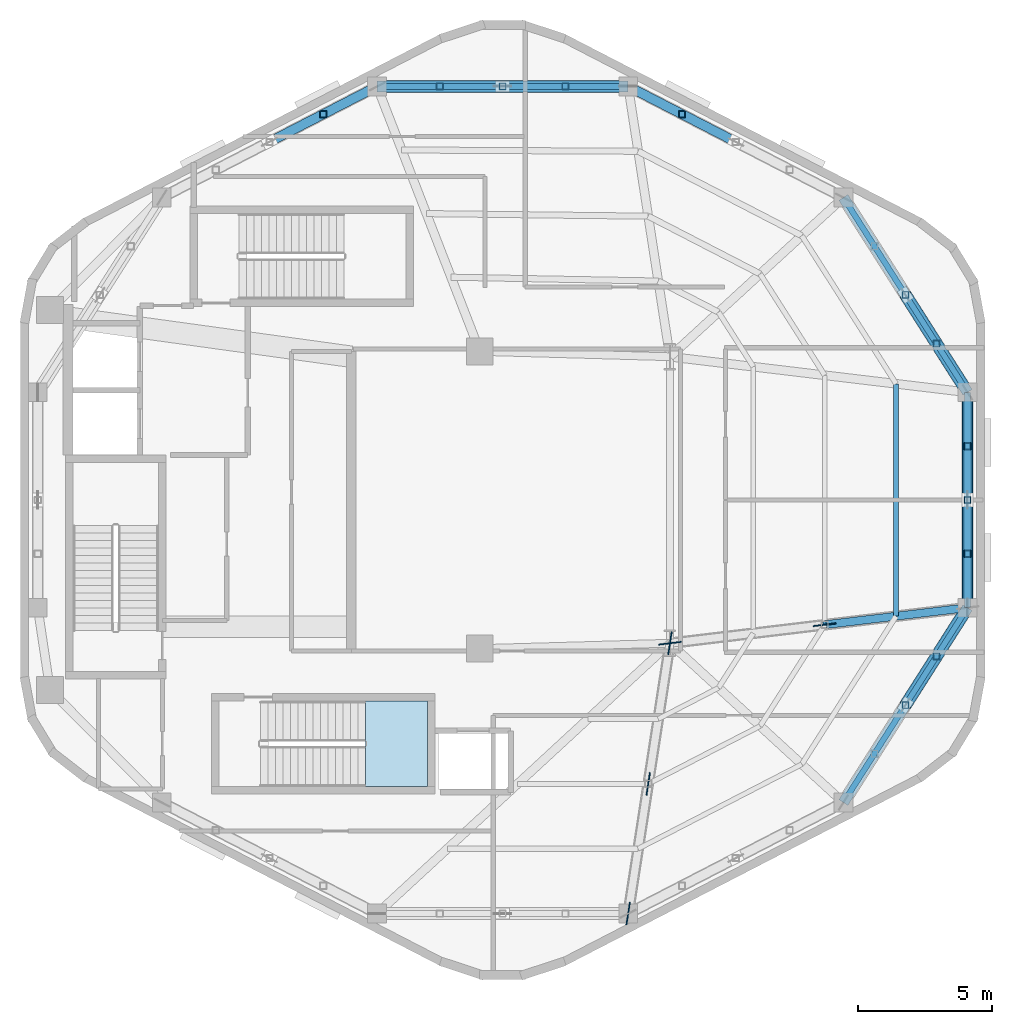
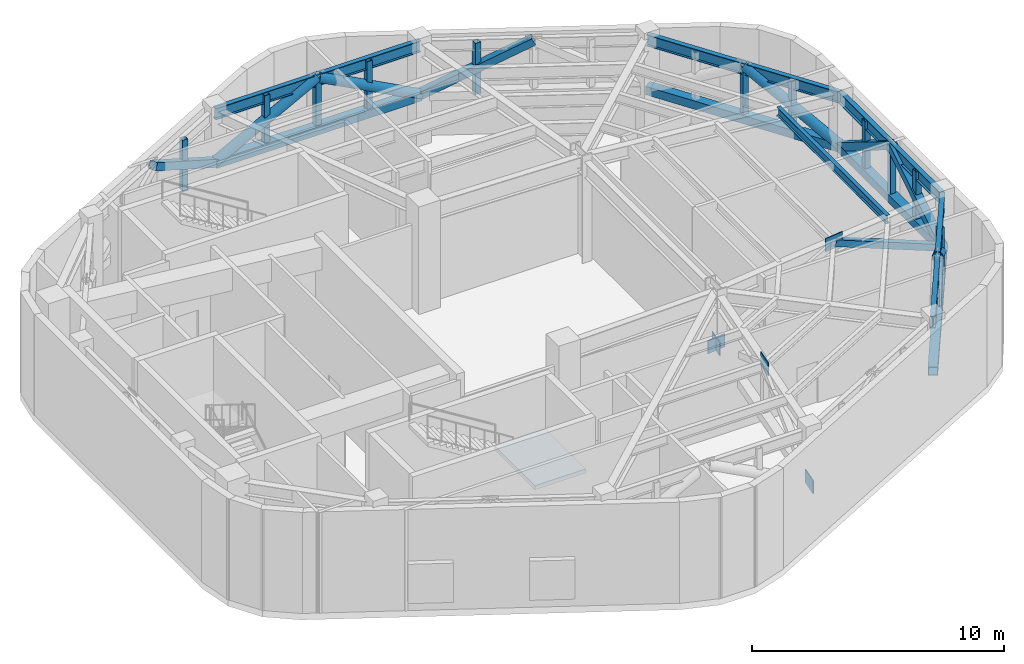
# One storey, part 4 of 8: 25 members, 5 beams, 5 plates, 1 slab, 1 element without a shape of its own.
"""IFC4 building model written with IfcOpenShell, lengths in metres."""

import ifcopenshell
import ifcopenshell.guid

model = None  # the IFC model being written
_history = None  # IfcOwnerHistory: only IFC2X3 demands one
_inside = {}  # id of a spatial element -> (the spatial element, [elements in it])
_under = {}  # id of a project, library or spatial element -> (it, [spatial elements below it])
_declared = {}  # id of a project -> (the project, [libraries it declares])
_typed = {}  # id of a type object -> (the type object, [elements of that type])
_made_of = {}  # id of a material, layer set ... -> (it, [elements and type objects made of it])


def new_model(schema):
    """Start an empty IFC model of exactly this schema.

    Asked for "IFC4X3", IfcOpenShell would pick the latest addendum, in which some entities
    have other attributes; the version numbers below select the first issue.
    IFC2X3 requires an IfcOwnerHistory on every rooted entity: one is made here for all.
    """
    global model, _history
    if schema == "IFC4X3":
        model = ifcopenshell.file(schema_version=(4, 3, 0, 0))
    else:
        model = ifcopenshell.file(schema=schema)
    _inside.clear()
    _under.clear()
    _declared.clear()
    _typed.clear()
    _made_of.clear()
    _history = None
    if model.schema == "IFC2X3":
        org = make("IfcOrganization", Name="unknown")
        user = make(
            "IfcPersonAndOrganization",
            ThePerson=make("IfcPerson", FamilyName="unknown"),
            TheOrganization=org,
        )
        app = make(
            "IfcApplication",
            ApplicationDeveloper=org,
            Version="unknown",
            ApplicationFullName="unknown",
            ApplicationIdentifier="unknown",
        )
        _history = make(
            "IfcOwnerHistory",
            OwningUser=user,
            OwningApplication=app,
            ChangeAction="ADDED",
            CreationDate=0,
        )
    return model


def make(cls, **values):
    """One entity of the class cls with the attributes given. An attribute that is None is left unset."""
    return model.create_entity(
        cls, **{name: value for name, value in values.items() if value is not None}
    )


def rooted(cls, **values):
    """An entity with a GlobalId (a new one), such as an element, a storey or a relation."""
    return make(cls, GlobalId=ifcopenshell.guid.new(), OwnerHistory=_history, **values)


def si_unit(unit_type, name, prefix=None):
    """IfcSIUnit, for example si_unit("LENGTHUNIT", "METRE", prefix="MILLI")."""
    return make("IfcSIUnit", UnitType=unit_type, Prefix=prefix, Name=name)


def assignment(units):
    """IfcUnitAssignment: the units of a project."""
    return None if units is None else make("IfcUnitAssignment", Units=units)


def point(xyz):
    """IfcCartesianPoint."""
    return None if xyz is None else make("IfcCartesianPoint", Coordinates=xyz)


def direction(xyz):
    """IfcDirection."""
    return None if xyz is None else make("IfcDirection", DirectionRatios=xyz)


def frame(location, z_axis=None, x_axis=None):
    """IfcAxis2Placement3D, a coordinate frame: its origin and axes. An axis left out is left unset."""
    return make(
        "IfcAxis2Placement3D",
        Location=point(location),
        Axis=direction(z_axis),
        RefDirection=direction(x_axis),
    )


def frame_2d(location, x_axis=None):
    """IfcAxis2Placement2D, a coordinate frame in the plane: its origin and x axis."""
    return make(
        "IfcAxis2Placement2D", Location=point(location), RefDirection=direction(x_axis)
    )


def origin():
    """The frame at (0, 0, 0) with its axes left unset."""
    return frame((0.0, 0.0, 0.0))


def origin_2d():
    """The frame at (0, 0) in the plane with its x axis left unset."""
    return frame_2d((0.0, 0.0))


def place(relative_to, where):
    """IfcLocalPlacement: puts the frame where relative to a parent placement (None: the world)."""
    return make(
        "IfcLocalPlacement", PlacementRelTo=relative_to, RelativePlacement=where
    )


def context(
    kind, dimensions, precision=None, world=None, true_north=None, identifier=None
):
    """IfcGeometricRepresentationContext, for example the 3D "Model" context."""
    return make(
        "IfcGeometricRepresentationContext",
        ContextIdentifier=identifier,
        ContextType=kind,
        CoordinateSpaceDimension=dimensions,
        Precision=precision,
        WorldCoordinateSystem=world,
        TrueNorth=true_north,
    )


def subcontext(parent, identifier, kind, view, scale=None):
    """IfcGeometricRepresentationSubContext, for example "Body" below "Model"."""
    return make(
        "IfcGeometricRepresentationSubContext",
        ContextIdentifier=identifier,
        ContextType=kind,
        ParentContext=parent,
        TargetScale=scale,
        TargetView=view,
    )


def project(units=None, contexts=None):
    """IfcProject with its units and contexts."""
    return rooted(
        "IfcProject",
        Name="project",
        RepresentationContexts=contexts,
        UnitsInContext=assignment(units),
    )


def spatial(cls, under=None, at=None, **own):
    """A site, building, storey or space (cls), placed at a placement, below another one or the project."""
    s = rooted(cls, ObjectPlacement=at, **own)
    if under is not None:
        _under.setdefault(under.id(), (under, []))[1].append(s)
    return s


def polyline(points):
    """IfcPolyline through the points."""
    return make("IfcPolyline", Points=[point(p) for p in points])


def profile(cls, at=None, kind="AREA", **sizes):
    """A parametric profile (cls). Its sizes go by their IFC names, for example OverallWidth=200.0."""
    return make(cls, ProfileType=kind, Position=at, **sizes)


def rectangle(**sizes):
    """IfcRectangleProfileDef."""
    return profile("IfcRectangleProfileDef", **sizes)


def hollow_rectangle(**sizes):
    """IfcRectangleHollowProfileDef."""
    return profile("IfcRectangleHollowProfileDef", **sizes)


def hollow_circle(**sizes):
    """IfcCircleHollowProfileDef."""
    return profile("IfcCircleHollowProfileDef", **sizes)


def i_section(**sizes):
    """IfcIShapeProfileDef."""
    return profile("IfcIShapeProfileDef", **sizes)


def outline(outer, holes=None, kind="AREA"):
    """IfcArbitraryClosedProfileDef: a profile drawn as a closed curve; with holes, ...WithVoids."""
    if holes is None:
        return make("IfcArbitraryClosedProfileDef", ProfileType=kind, OuterCurve=outer)
    return make(
        "IfcArbitraryProfileDefWithVoids",
        ProfileType=kind,
        OuterCurve=outer,
        InnerCurves=holes,
    )


def extrude(swept, where, along, depth):
    """IfcExtrudedAreaSolid: the profile swept, set in the frame where, extruded along a direction by depth."""
    return make(
        "IfcExtrudedAreaSolid",
        SweptArea=swept,
        Position=where,
        ExtrudedDirection=direction(along),
        Depth=depth,
    )


def shape(context_of_items, identifier, shape_type, items):
    """IfcShapeRepresentation: the items that make up one representation, for example the "Body"."""
    return make(
        "IfcShapeRepresentation",
        ContextOfItems=context_of_items,
        RepresentationIdentifier=identifier,
        RepresentationType=shape_type,
        Items=items,
    )


def material(Name=None, Category=None):
    """IfcMaterial."""
    return make("IfcMaterial", Name=Name, Category=Category)


def layer(
    of_material, thickness, ventilated=None, Name=None, Category=None, Priority=None
):
    """IfcMaterialLayer: one layer of a wall or slab, of a material (None: an air gap)."""
    return make(
        "IfcMaterialLayer",
        Material=of_material,
        LayerThickness=thickness,
        IsVentilated=ventilated,
        Name=Name,
        Category=Category,
        Priority=Priority,
    )


def layer_set(layers, Name=None):
    """IfcMaterialLayerSet."""
    return make("IfcMaterialLayerSet", MaterialLayers=layers, LayerSetName=Name)


def material_profile(
    of_material, cross_section, Name=None, Category=None, Priority=None
):
    """IfcMaterialProfile: a cross section and its material."""
    return make(
        "IfcMaterialProfile",
        Name=Name,
        Material=of_material,
        Profile=cross_section,
        Priority=Priority,
        Category=Category,
    )


def profile_set(profiles, Name=None, composite=None):
    """IfcMaterialProfileSet."""
    return make(
        "IfcMaterialProfileSet",
        Name=Name,
        MaterialProfiles=profiles,
        CompositeProfile=composite,
    )


def made_of(thing, what):
    """Note that an element or type object is made of a material, layer set ...; save() writes the relation."""
    if what is not None:
        _made_of.setdefault(what.id(), (what, []))[1].append(thing)
    return thing


def type_object(cls, material=None, **own):
    """A type object (cls), such as IfcWallType, which elements share."""
    return made_of(rooted(cls, **own), material)


def element(
    cls,
    number,
    at=None,
    inside=None,
    cuts=None,
    type_object=None,
    material=None,
    context=None,
    identifier="Body",
    shape_type=None,
    held_by="IfcProductDefinitionShape",
    body=None,
    shapes=None,
    **own,
):
    """One element of the class cls, such as IfcWall. Its Tag is "e" and its number.

    at: its placement. inside: the storey or other place that contains it. cuts: it is an
    opening in that element (IfcRelVoidsElement). A single representation is given by context,
    identifier, shape_type and body (its items); several are given by shapes. held_by: the class
    of the entity that holds the representations. save() writes the other relations.
    """
    e = rooted(cls, Tag="e%d" % number, ObjectPlacement=at, **own)
    if body is not None:
        shapes = [shape(context, identifier, shape_type, body)]
    if shapes is not None:
        e.Representation = make(held_by, Representations=shapes)
    if inside is not None:
        _inside.setdefault(inside.id(), (inside, []))[1].append(e)
    if cuts is not None:
        rooted(
            "IfcRelVoidsElement", RelatingBuildingElement=cuts, RelatedOpeningElement=e
        )
    if type_object is not None:
        _typed.setdefault(type_object.id(), (type_object, []))[1].append(e)
    return made_of(e, material)


def aggregate(whole, parts):
    """IfcRelAggregates: a whole, such as a stair, and the parts it consists of."""
    return rooted("IfcRelAggregates", RelatingObject=whole, RelatedObjects=parts)


def save(model, path):
    """Write the relations noted so far, then the file.

    IfcRelAggregates (storeys below a building ...), IfcRelContainedInSpatialStructure (elements
    in a storey), IfcRelDefinesByType, IfcRelAssociatesMaterial and IfcRelDeclares: one each for
    every whole, place, type object, material and project.
    """
    for whole, parts in _under.values():
        aggregate(whole, parts)
    for where, things in _inside.values():
        rooted(
            "IfcRelContainedInSpatialStructure",
            RelatedElements=things,
            RelatingStructure=where,
        )
    for kind, things in _typed.values():
        rooted("IfcRelDefinesByType", RelatedObjects=things, RelatingType=kind)
    for what, things in _made_of.values():
        rooted("IfcRelAssociatesMaterial", RelatedObjects=things, RelatingMaterial=what)
    for by, libraries in _declared.values():
        rooted("IfcRelDeclares", RelatingContext=by, RelatedDefinitions=libraries)
    model.write(path)


model = new_model("IFC4")

# Units and contexts
model_context = context("Model", 3, precision=1e-05, world=origin(), true_north=direction((0.0, 1.0)))
body_context = subcontext(model_context, "Body", "Model", "MODEL_VIEW")
ifc_project = project(units=[si_unit("LENGTHUNIT", "METRE"), si_unit("AREAUNIT", "SQUARE_METRE"), si_unit("VOLUMEUNIT", "CUBIC_METRE"), si_unit("PLANEANGLEUNIT", "RADIAN"), si_unit("MASSUNIT", "GRAM", prefix="KILO"), si_unit("THERMODYNAMICTEMPERATUREUNIT", "KELVIN"), si_unit("POWERUNIT", "WATT")], contexts=[model_context])

# Site, building, storey
site_placement = place(None, origin())
site = spatial("IfcSite", under=ifc_project, at=site_placement, CompositionType="ELEMENT")
building_placement = place(site_placement, origin())
building = spatial("IfcBuilding", under=site, at=building_placement, Name="Skarre Station Tower", CompositionType="ELEMENT")
storey_placement = place(building_placement, frame((0.0, 0.0, 279.89990234375)))
storey = spatial("IfcBuildingStorey", under=building, at=storey_placement, Name="L76", CompositionType="ELEMENT", Elevation=279.89990234375)

# Beams
ifc_material_1 = material(Name="Steel ASTM A992 Grade 50", Category="steel")
ifc_material_profile_1 = material_profile(ifc_material_1, i_section(OverallWidth=0.177978515625, OverallDepth=0.403076171875, WebThickness=0.008056640625, FlangeThickness=0.010986328125, at=origin_2d()), Name="Steel ASTM A992 Grade 50")
ifc_profile_set_1 = profile_set([ifc_material_profile_1], Name="Steel ASTM A992 Grade 50")
beam_type_1 = type_object("IfcBeamType", Name="Steel Joist W16X36", PredefinedType="JOIST", material=ifc_profile_set_1)
beam_1_placement = place(storey_placement, frame((47.89599609375, 19.659912109375, 4.689208984375), z_axis=(0.0, 1.0, 0.0), x_axis=(-1.0, 0.0, 0.0)))
element("IfcBeam", 1, at=beam_1_placement, inside=storey, type_object=beam_type_1, Name="L76 Auxiliary Composite Joist 23", PredefinedType="JOIST", context=body_context, shape_type="SweptSolid", body=[
    extrude(i_section(OverallWidth=0.177978515625, OverallDepth=0.403076171875, WebThickness=0.008056640625, FlangeThickness=0.010986328125, at=origin_2d()), origin(), (0.0, 0.0, 1.0), 8.68017578125),
])
ifc_material_profile_2 = material_profile(ifc_material_1, i_section(OverallWidth=0.214111328125, OverallDepth=0.549072265625, WebThickness=0.014892578125, FlangeThickness=0.02392578125, at=origin_2d()), Name="Steel ASTM A992 Grade 50")
ifc_profile_set_2 = profile_set([ifc_material_profile_2], Name="Steel ASTM A992 Grade 50")
beam_type_2 = type_object("IfcBeamType", Name="Steel Spandrel W21X93", PredefinedType="SPANDREL", material=ifc_profile_set_2)
beam_2_placement = place(storey_placement, frame((37.888916015625, 39.447021484375, 4.6162109375), z_axis=(-1.0, 0.0, 0.0), x_axis=(0.0, -1.0, 0.0)))
element("IfcBeam", 2, at=beam_2_placement, inside=storey, type_object=beam_type_2, Name="L76 Facet Spandrel Beam 2", PredefinedType="SPANDREL", context=body_context, shape_type="SweptSolid", body=[
    extrude(i_section(OverallWidth=0.214111328125, OverallDepth=0.549072265625, WebThickness=0.014892578125, FlangeThickness=0.02392578125, at=origin_2d()), origin(), (0.0, 0.0, 1.0), 9.3779296875),
])
beam_3_placement = place(storey_placement, frame((45.927001953125, 12.701904296875, 4.6162109375), z_axis=(0.537296523663, 0.843393410965, 0.0), x_axis=(-0.843393410965, 0.537296523663, 0.0)))
element("IfcBeam", 3, at=beam_3_placement, inside=storey, type_object=beam_type_2, Name="L76 Facet Spandrel Beam 10", PredefinedType="SPANDREL", context=body_context, shape_type="SweptSolid", body=[
    extrude(i_section(OverallWidth=0.214111328125, OverallDepth=0.549072265625, WebThickness=0.014892578125, FlangeThickness=0.02392578125, at=origin_2d()), origin(), (0.0, 0.0, 1.0), 8.62841796875),
])
beam_4_placement = place(storey_placement, frame((50.56298828125, 19.97900390625, 4.6162109375), z_axis=(0.0, 1.0, 0.0), x_axis=(-1.0, 0.0, 0.0)))
element("IfcBeam", 4, at=beam_4_placement, inside=storey, type_object=beam_type_2, Name="L76 Facet Spandrel Beam 11", PredefinedType="SPANDREL", context=body_context, shape_type="SweptSolid", body=[
    extrude(i_section(OverallWidth=0.214111328125, OverallDepth=0.549072265625, WebThickness=0.014892578125, FlangeThickness=0.02392578125, at=origin_2d()), origin(), (0.0, 0.0, 1.0), 8.0419921875),
])
beam_5_placement = place(storey_placement, frame((50.56298828125, 28.02099609375, 4.6162109375), z_axis=(-0.537296523663, 0.843393410965, 0.0), x_axis=(-0.843393410965, -0.537296523663, 0.0)))
element("IfcBeam", 5, at=beam_5_placement, inside=storey, type_object=beam_type_2, Name="L76 Facet Spandrel Beam 12", PredefinedType="SPANDREL", context=body_context, shape_type="SweptSolid", body=[
    extrude(i_section(OverallWidth=0.214111328125, OverallDepth=0.549072265625, WebThickness=0.014892578125, FlangeThickness=0.02392578125, at=origin_2d()), origin(), (0.0, 0.0, 1.0), 8.62841796875),
])

# Members
ifc_material_2 = material(Name="Steel ASTM A500 Grade C", Category="steel")
ifc_material_profile_3 = material_profile(ifc_material_2, hollow_circle(Radius=0.228515625, WallThickness=0.02001953125, at=origin_2d()), Name="Steel ASTM A500 Grade C")
ifc_profile_set_3 = profile_set([ifc_material_profile_3], Name="Steel ASTM A500 Grade C")
member_type_1 = type_object("IfcMemberType", Name="Steel Truss Brace CHS457X20", PredefinedType="BRACE", material=ifc_profile_set_3)
for number, where, z_axis, x_axis, name in (
    (6, (37.888916015625, 39.447021484375, 2.25), (-0.883195489421, 0.0, 0.469005039915), (0.0, -1.0, 0.0), "L76 Belt Truss Chevron Diagonal 2A"),
    (7, (28.510986328125, 39.447021484375, 2.25), (0.883195489421, 0.0, 0.469005039915), (0.0, 1.0, 0.0), "L76 Belt Truss Chevron Diagonal 2B"),
):
    element("IfcMember", number, at=place(storey_placement, frame(where, z_axis=z_axis, x_axis=x_axis)), inside=storey, type_object=member_type_1, Name=name, PredefinedType="BRACE", context=body_context, shape_type="SweptSolid", body=[
        extrude(hollow_circle(Radius=0.228515625, WallThickness=0.02001953125, at=origin_2d()), origin(), (0.0, 0.0, 1.0), 5.30908203125),
    ])
for number, where, z_axis, x_axis, name in (
    (8, (50.56298828125, 19.97900390625, 2.25), (-0.465305701623, -0.730501525457, 0.499858105209), (0.843430734207, -0.537237932946, 0.0), "L76 Belt Truss Chevron Diagonal 10B"),
    (9, (50.56298828125, 28.02099609375, 2.25), (-0.465305701623, 0.730501525457, 0.499858105209), (-0.843430734207, -0.537237932946, 0.0), "L76 Belt Truss Chevron Diagonal 12A"),
):
    element("IfcMember", number, at=place(storey_placement, frame(where, z_axis=z_axis, x_axis=x_axis)), inside=storey, type_object=member_type_1, Name=name, PredefinedType="BRACE", context=body_context, shape_type="SweptSolid", body=[
        extrude(hollow_circle(Radius=0.228515625, WallThickness=0.02001953125, at=origin_2d()), origin(), (0.0, 0.0, 1.0), 4.9814453125),
    ])
ifc_material_profile_4 = material_profile(ifc_material_2, hollow_rectangle(XDim=0.300048828125, YDim=0.300048828125, WallThickness=0.01611328125, at=origin_2d()), Name="Steel ASTM A500 Grade C")
ifc_profile_set_4 = profile_set([ifc_material_profile_4], Name="Steel ASTM A500 Grade C")
member_type_2 = type_object("IfcMemberType", Name="Steel Truss Brace HSS300X300X16", PredefinedType="BRACE", material=ifc_profile_set_4)
member_1_placement = place(storey_placement, frame((50.56298828125, 19.97900390625, 2.25), z_axis=(-0.90085656384, -0.107741587391, 0.420534423957), x_axis=(0.118752747945, -0.992923856525, 0.0)))
element("IfcMember", 10, at=member_1_placement, inside=storey, type_object=member_type_2, Name="L76 Outrigger Truss Diagonal 3B", PredefinedType="BRACE", context=body_context, shape_type="SweptSolid", body=[
    extrude(hollow_rectangle(XDim=0.300048828125, YDim=0.300048828125, WallThickness=0.01611328125, at=origin_2d()), origin(), (0.0, 0.0, 1.0), 5.9208984375),
])
ifc_material_profile_5 = material_profile(ifc_material_2, hollow_rectangle(XDim=0.35009765625, YDim=0.35009765625, WallThickness=0.02001953125, at=origin_2d()), Name="Steel ASTM A500 Grade C")
ifc_profile_set_5 = profile_set([ifc_material_profile_5], Name="Steel ASTM A500 Grade C")
member_type_3 = type_object("IfcMemberType", Name="Steel Truss Brace HSS350X350X20", PredefinedType="BRACE", material=ifc_profile_set_5)
for number, where, z_axis, x_axis, name in (
    (11, (37.888916015625, 39.447021484375, 2.25), (0.778467357166, -0.401717907856, 0.482297933164), (0.458578290801, 0.888654010966, 0.0), "L76 Belt Truss Chevron Diagonal 1B"),
    (12, (28.510986328125, 39.447021484375, 2.25), (-0.778467357166, -0.401717907856, 0.482297933164), (0.458578290801, -0.888654010966, 0.0), "L76 Belt Truss Chevron Diagonal 3A"),
):
    element("IfcMember", number, at=place(storey_placement, frame(where, z_axis=z_axis, x_axis=x_axis)), inside=storey, type_object=member_type_3, Name=name, PredefinedType="BRACE", context=body_context, shape_type="SweptSolid", body=[
        extrude(hollow_rectangle(XDim=0.35009765625, YDim=0.35009765625, WallThickness=0.02001953125, at=origin_2d()), origin(), (0.0, 0.0, 1.0), 5.162841796875),
    ])
for number, where, z_axis, x_axis, name in (
    (13, (50.56298828125, 19.97900390625, 2.25), (0.0, 0.85018923036, 0.526477228928), (-1.0, 0.0, 0.0), "L76 Belt Truss Chevron Diagonal 11A"),
    (14, (50.56298828125, 28.02099609375, 2.25), (0.0, -0.85018923036, 0.526477228928), (1.0, 0.0, 0.0), "L76 Belt Truss Chevron Diagonal 11B"),
):
    element("IfcMember", number, at=place(storey_placement, frame(where, z_axis=z_axis, x_axis=x_axis)), inside=storey, type_object=member_type_3, Name=name, PredefinedType="BRACE", context=body_context, shape_type="SweptSolid", body=[
        extrude(hollow_rectangle(XDim=0.35009765625, YDim=0.35009765625, WallThickness=0.02001953125, at=origin_2d()), origin(), (0.0, 0.0, 1.0), 4.7294921875),
    ])
ifc_material_profile_6 = material_profile(ifc_material_2, hollow_rectangle(XDim=0.39990234375, YDim=0.39990234375, WallThickness=0.02197265625, at=origin_2d()), Name="Steel ASTM A500 Grade C")
ifc_profile_set_6 = profile_set([ifc_material_profile_6], Name="Steel ASTM A500 Grade C")
member_type_4 = type_object("IfcMemberType", Name="Steel Truss Chord HSS400X400X22", PredefinedType="CHORD", material=ifc_profile_set_6)
member_2_placement = place(storey_placement, frame((37.888916015625, 39.447021484375, 2.25), z_axis=(-1.0, 0.0, 0.0), x_axis=(0.0, -1.0, 0.0)))
element("IfcMember", 15, at=member_2_placement, inside=storey, type_object=member_type_4, Name="L76 Belt Truss Bottom Chord 2", PredefinedType="CHORD", context=body_context, shape_type="SweptSolid", body=[
    extrude(hollow_rectangle(XDim=0.39990234375, YDim=0.39990234375, WallThickness=0.02197265625, at=origin_2d()), origin(), (0.0, 0.0, 1.0), 9.3779296875),
])
member_3_placement = place(storey_placement, frame((45.927001953125, 12.701904296875, 2.25), z_axis=(0.537296523663, 0.843393410965, 0.0), x_axis=(-0.843393410965, 0.537296523663, 0.0)))
element("IfcMember", 16, at=member_3_placement, inside=storey, type_object=member_type_4, Name="L76 Belt Truss Bottom Chord 10", PredefinedType="CHORD", context=body_context, shape_type="SweptSolid", body=[
    extrude(hollow_rectangle(XDim=0.39990234375, YDim=0.39990234375, WallThickness=0.02197265625, at=origin_2d()), origin(), (0.0, 0.0, 1.0), 8.62841796875),
])
member_4_placement = place(storey_placement, frame((50.56298828125, 19.97900390625, 2.25), z_axis=(0.0, 1.0, 0.0), x_axis=(-1.0, 0.0, 0.0)))
element("IfcMember", 17, at=member_4_placement, inside=storey, type_object=member_type_4, Name="L76 Belt Truss Bottom Chord 11", PredefinedType="CHORD", context=body_context, shape_type="SweptSolid", body=[
    extrude(hollow_rectangle(XDim=0.39990234375, YDim=0.39990234375, WallThickness=0.02197265625, at=origin_2d()), origin(), (0.0, 0.0, 1.0), 8.0419921875),
])
member_5_placement = place(storey_placement, frame((50.56298828125, 28.02099609375, 2.25), z_axis=(-0.537296523663, 0.843393410965, 0.0), x_axis=(-0.843393410965, -0.537296523663, 0.0)))
element("IfcMember", 18, at=member_5_placement, inside=storey, type_object=member_type_4, Name="L76 Belt Truss Bottom Chord 12", PredefinedType="CHORD", context=body_context, shape_type="SweptSolid", body=[
    extrude(hollow_rectangle(XDim=0.39990234375, YDim=0.39990234375, WallThickness=0.02197265625, at=origin_2d()), origin(), (0.0, 0.0, 1.0), 8.62841796875),
])
ifc_material_profile_7 = material_profile(ifc_material_2, hollow_rectangle(XDim=0.25, YDim=0.25, WallThickness=0.01611328125, at=origin_2d()), Name="Steel ASTM A500 Grade C")
ifc_profile_set_7 = profile_set([ifc_material_profile_7], Name="Steel ASTM A500 Grade C")
member_type_5 = type_object("IfcMemberType", Name="Steel Truss Strut HSS250X250X16", PredefinedType="STRUT", material=ifc_profile_set_7)
for number, where, z_axis, x_axis, name in (
    (19, (39.89794921875, 38.409912109375, 2.25), (0.0, 0.0, 1.0), (1.0, 0.0, 0.0), "L76 Belt Truss Web Post 1-3"),
    (20, (35.5439453125, 39.447021484375, 2.25), (0.0, 0.0, 1.0), (1.0, 0.0, 0.0), "L76 Belt Truss Web Post 2-1"),
    (21, (33.199951171875, 39.447021484375, 2.25), (0.0, 0.0, 1.0), (1.0, 0.0, 0.0), "L76 Belt Truss Web Post 2-2"),
    (22, (30.85498046875, 39.447021484375, 2.25), (0.0, 0.0, 1.0), (1.0, 0.0, 0.0), "L76 Belt Truss Web Post 2-3"),
    (23, (26.501953125, 38.409912109375, 2.25), (0.0, 0.0, 1.0), (1.0, 0.0, 0.0), "L76 Belt Truss Web Post 3-1"),
    (24, (48.2451171875, 16.340087890625, 2.25), (0.0, 0.0, 1.0), (1.0, 0.0, 0.0), "L76 Belt Truss Web Post 10-2"),
    (25, (49.404052734375, 18.159912109375, 2.25), (0.0, 0.0, 1.0), (1.0, 0.0, 0.0), "L76 Belt Truss Web Post 10-3"),
    (26, (50.56298828125, 21.989013671875, 2.25), (0.0, 0.0, 1.0), (1.0, 0.0, 0.0), "L76 Belt Truss Web Post 11-1"),
    (27, (50.56298828125, 24.0, 2.25), (0.0, 0.0, 1.0), (1.0, 0.0, 0.0), "L76 Belt Truss Web Post 11-2"),
    (28, (50.56298828125, 26.010986328125, 2.25), (0.0, 0.0, 1.0), (1.0, 0.0, 0.0), "L76 Belt Truss Web Post 11-3"),
    (29, (49.404052734375, 29.840087890625, 2.25), (0.0, 0.0, 1.0), (1.0, 0.0, 0.0), "L76 Belt Truss Web Post 12-1"),
    (30, (48.2451171875, 31.659912109375, 2.25), (0.0, 0.0, 1.0), (1.0, 0.0, 0.0), "L76 Belt Truss Web Post 12-2"),
):
    element("IfcMember", number, at=place(storey_placement, frame(where, z_axis=z_axis, x_axis=x_axis)), inside=storey, type_object=member_type_5, Name=name, PredefinedType="STRUT", context=body_context, shape_type="SweptSolid", body=[
        extrude(hollow_rectangle(XDim=0.25, YDim=0.25, WallThickness=0.01611328125, at=origin_2d()), origin(), (0.0, 0.0, 1.0), 2.489990234375),
    ])

# Plates
ifc_material_3 = material(Name="Steel ASTM A572 Grade 50", Category="steel")
ifc_layer_1 = layer(ifc_material_3, 0.0400390625, Name="Steel ASTM A572 Grade 50")
ifc_layer_set_1 = layer_set([ifc_layer_1], Name="Steel ASTM A572 Grade 50")
plate_type = type_object("IfcPlateType", Name="Outrigger Heavy Gusset Plate 850x640x40", PredefinedType="USERDEFINED", material=ifc_layer_set_1)
for number, where, z_axis, x_axis, name in (
    (31, (38.637939453125, 13.39990234375, 4.419921875), (0.0, 0.0, 1.0), (-0.152778858862, -0.988260401051, 0.0), "L76 Outrigger Truss Gusset Plate 2"),
    (32, (39.449951171875, 18.64990234375, 1.93017578125), (0.0, 0.0, 1.0), (-0.152778858862, -0.988260401051, 0.0), "L76 Outrigger Core Base Gusset Plate 2"),
    (33, (37.888916015625, 8.552978515625, 1.93017578125), (0.0, 0.0, 1.0), (-0.152778858862, -0.988260401051, 0.0), "L76 Outrigger Perimeter Base Gusset Plate 2"),
    (34, (45.22900390625, 19.341064453125, 4.419921875), (0.0, 0.0, 1.0), (0.992924116831, 0.118750571435, 0.0), "L76 Outrigger Truss Gusset Plate 3"),
    (35, (39.449951171875, 18.64990234375, 1.93017578125), (0.0, 0.0, 1.0), (0.992924116831, 0.118750571435, 0.0), "L76 Outrigger Core Base Gusset Plate 3"),
):
    element("IfcPlate", number, at=place(storey_placement, frame(where, z_axis=z_axis, x_axis=x_axis)), inside=storey, type_object=plate_type, Name=name, ObjectType="GUSSET_PLATE", PredefinedType="USERDEFINED", context=body_context, shape_type="SweptSolid", body=[
        extrude(rectangle(XDim=0.85009765625, YDim=0.0400390625, at=origin_2d()), origin(), (0.0, 0.0, 1.0), 0.639892578125),
    ])

# Stair, slab
ifc_material_4 = material(Name="Concrete C40/50", Category="concrete")
stair_type = type_object("IfcStairType", Name="Reinforced Concrete Exit Stair ST-2", PredefinedType="HALF_TURN_STAIR", material=ifc_material_4)
stair_placement = place(storey_placement, origin())
stair = element("IfcStair", 36, at=stair_placement, inside=storey, type_object=stair_type, Name="L76 Core Exit Stair ST-2", PredefinedType="HALF_TURN_STAIR")
ifc_layer_2 = layer(ifc_material_4, 0.219970703125, Name="Concrete C40/50")
ifc_layer_set_2 = layer_set([ifc_layer_2], Name="Concrete C40/50")
slab_type = type_object("IfcSlabType", Name="Reinforced Concrete Stair & Ramp Landing 220", PredefinedType="LANDING", material=ifc_layer_set_2)
slab_placement = place(storey_placement, frame((0.0, 0.0, 2.400146484375)))
slab = element("IfcSlab", 37, at=slab_placement, type_object=slab_type, Name="ST-2 landing 1", PredefinedType="LANDING", context=body_context, shape_type="SweptSolid", body=[
    extrude(outline(polyline([(28.070068359375, 13.300048828125), (30.39990234375, 13.300048828125), (30.39990234375, 16.5), (28.070068359375, 16.5), (28.070068359375, 13.300048828125)])), origin(), (0.0, 0.0, 1.0), 0.199951171875),
])
aggregate(stair, [slab])

save(model, "model.ifc")
